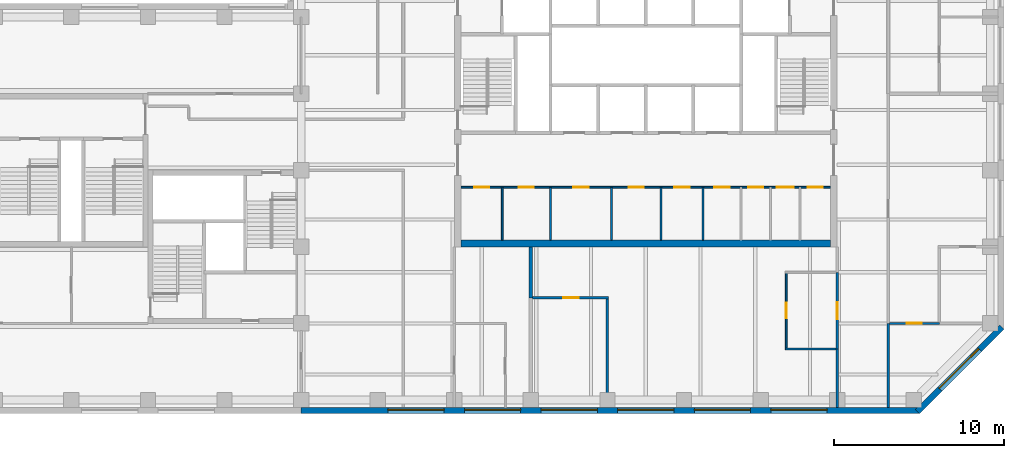
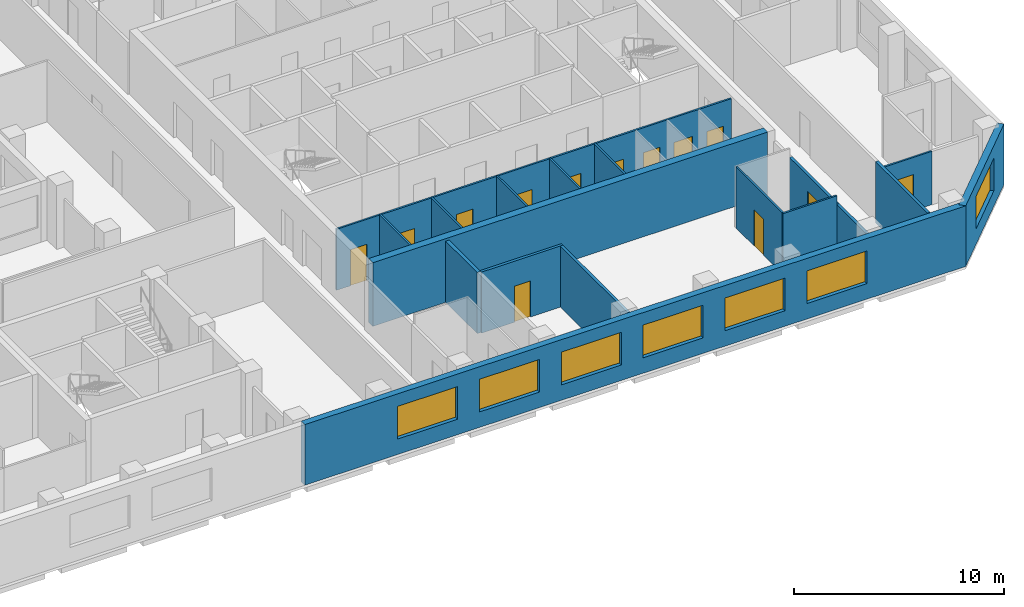
# One storey, part 4 of 9: 18 walls, 13 doors, 7 windows, 20 openings.
"""IFC4 building model written with IfcOpenShell, lengths in metres."""

import ifcopenshell
import ifcopenshell.guid

model = None  # the IFC model being written
_history = None  # IfcOwnerHistory: only IFC2X3 demands one
_inside = {}  # id of a spatial element -> (the spatial element, [elements in it])
_under = {}  # id of a project, library or spatial element -> (it, [spatial elements below it])
_declared = {}  # id of a project -> (the project, [libraries it declares])
_typed = {}  # id of a type object -> (the type object, [elements of that type])
_made_of = {}  # id of a material, layer set ... -> (it, [elements and type objects made of it])


def new_model(schema):
    """Start an empty IFC model of exactly this schema.

    Asked for "IFC4X3", IfcOpenShell would pick the latest addendum, in which some entities
    have other attributes; the version numbers below select the first issue.
    IFC2X3 requires an IfcOwnerHistory on every rooted entity: one is made here for all.
    """
    global model, _history
    if schema == "IFC4X3":
        model = ifcopenshell.file(schema_version=(4, 3, 0, 0))
    else:
        model = ifcopenshell.file(schema=schema)
    _inside.clear()
    _under.clear()
    _declared.clear()
    _typed.clear()
    _made_of.clear()
    _history = None
    if model.schema == "IFC2X3":
        org = make("IfcOrganization", Name="unknown")
        user = make(
            "IfcPersonAndOrganization",
            ThePerson=make("IfcPerson", FamilyName="unknown"),
            TheOrganization=org,
        )
        app = make(
            "IfcApplication",
            ApplicationDeveloper=org,
            Version="unknown",
            ApplicationFullName="unknown",
            ApplicationIdentifier="unknown",
        )
        _history = make(
            "IfcOwnerHistory",
            OwningUser=user,
            OwningApplication=app,
            ChangeAction="ADDED",
            CreationDate=0,
        )
    return model


def make(cls, **values):
    """One entity of the class cls with the attributes given. An attribute that is None is left unset."""
    return model.create_entity(
        cls, **{name: value for name, value in values.items() if value is not None}
    )


def rooted(cls, **values):
    """An entity with a GlobalId (a new one), such as an element, a storey or a relation."""
    return make(cls, GlobalId=ifcopenshell.guid.new(), OwnerHistory=_history, **values)


def si_unit(unit_type, name, prefix=None):
    """IfcSIUnit, for example si_unit("LENGTHUNIT", "METRE", prefix="MILLI")."""
    return make("IfcSIUnit", UnitType=unit_type, Prefix=prefix, Name=name)


def assignment(units):
    """IfcUnitAssignment: the units of a project."""
    return None if units is None else make("IfcUnitAssignment", Units=units)


def point(xyz):
    """IfcCartesianPoint."""
    return None if xyz is None else make("IfcCartesianPoint", Coordinates=xyz)


def direction(xyz):
    """IfcDirection."""
    return None if xyz is None else make("IfcDirection", DirectionRatios=xyz)


def frame(location, z_axis=None, x_axis=None):
    """IfcAxis2Placement3D, a coordinate frame: its origin and axes. An axis left out is left unset."""
    return make(
        "IfcAxis2Placement3D",
        Location=point(location),
        Axis=direction(z_axis),
        RefDirection=direction(x_axis),
    )


def frame_2d(location, x_axis=None):
    """IfcAxis2Placement2D, a coordinate frame in the plane: its origin and x axis."""
    return make(
        "IfcAxis2Placement2D", Location=point(location), RefDirection=direction(x_axis)
    )


def origin():
    """The frame at (0, 0, 0) with its axes left unset."""
    return frame((0.0, 0.0, 0.0))


def place(relative_to, where):
    """IfcLocalPlacement: puts the frame where relative to a parent placement (None: the world)."""
    return make(
        "IfcLocalPlacement", PlacementRelTo=relative_to, RelativePlacement=where
    )


def context(
    kind, dimensions, precision=None, world=None, true_north=None, identifier=None
):
    """IfcGeometricRepresentationContext, for example the 3D "Model" context."""
    return make(
        "IfcGeometricRepresentationContext",
        ContextIdentifier=identifier,
        ContextType=kind,
        CoordinateSpaceDimension=dimensions,
        Precision=precision,
        WorldCoordinateSystem=world,
        TrueNorth=true_north,
    )


def subcontext(parent, identifier, kind, view, scale=None):
    """IfcGeometricRepresentationSubContext, for example "Body" below "Model"."""
    return make(
        "IfcGeometricRepresentationSubContext",
        ContextIdentifier=identifier,
        ContextType=kind,
        ParentContext=parent,
        TargetScale=scale,
        TargetView=view,
    )


def project(units=None, contexts=None):
    """IfcProject with its units and contexts."""
    return rooted(
        "IfcProject",
        Name="project",
        RepresentationContexts=contexts,
        UnitsInContext=assignment(units),
    )


def spatial(cls, under=None, at=None, **own):
    """A site, building, storey or space (cls), placed at a placement, below another one or the project."""
    s = rooted(cls, ObjectPlacement=at, **own)
    if under is not None:
        _under.setdefault(under.id(), (under, []))[1].append(s)
    return s


def profile(cls, at=None, kind="AREA", **sizes):
    """A parametric profile (cls). Its sizes go by their IFC names, for example OverallWidth=200.0."""
    return make(cls, ProfileType=kind, Position=at, **sizes)


def rectangle(**sizes):
    """IfcRectangleProfileDef."""
    return profile("IfcRectangleProfileDef", **sizes)


def extrude(swept, where, along, depth):
    """IfcExtrudedAreaSolid: the profile swept, set in the frame where, extruded along a direction by depth."""
    return make(
        "IfcExtrudedAreaSolid",
        SweptArea=swept,
        Position=where,
        ExtrudedDirection=direction(along),
        Depth=depth,
    )


def shape(context_of_items, identifier, shape_type, items):
    """IfcShapeRepresentation: the items that make up one representation, for example the "Body"."""
    return make(
        "IfcShapeRepresentation",
        ContextOfItems=context_of_items,
        RepresentationIdentifier=identifier,
        RepresentationType=shape_type,
        Items=items,
    )


def material(Name=None, Category=None):
    """IfcMaterial."""
    return make("IfcMaterial", Name=Name, Category=Category)


def layer(
    of_material, thickness, ventilated=None, Name=None, Category=None, Priority=None
):
    """IfcMaterialLayer: one layer of a wall or slab, of a material (None: an air gap)."""
    return make(
        "IfcMaterialLayer",
        Material=of_material,
        LayerThickness=thickness,
        IsVentilated=ventilated,
        Name=Name,
        Category=Category,
        Priority=Priority,
    )


def layer_set(layers, Name=None):
    """IfcMaterialLayerSet."""
    return make("IfcMaterialLayerSet", MaterialLayers=layers, LayerSetName=Name)


def constituent(of_material, Name=None, Category=None, fraction=None):
    """IfcMaterialConstituent: one of the materials an element consists of."""
    return make(
        "IfcMaterialConstituent",
        Name=Name,
        Material=of_material,
        Fraction=fraction,
        Category=Category,
    )


def constituent_set(constituents=None, Name=None):
    """IfcMaterialConstituentSet."""
    return make(
        "IfcMaterialConstituentSet", Name=Name, MaterialConstituents=constituents
    )


def made_of(thing, what):
    """Note that an element or type object is made of a material, layer set ...; save() writes the relation."""
    if what is not None:
        _made_of.setdefault(what.id(), (what, []))[1].append(thing)
    return thing


def type_object(cls, material=None, **own):
    """A type object (cls), such as IfcWallType, which elements share."""
    return made_of(rooted(cls, **own), material)


def element(
    cls,
    number,
    at=None,
    inside=None,
    cuts=None,
    type_object=None,
    material=None,
    context=None,
    identifier="Body",
    shape_type=None,
    held_by="IfcProductDefinitionShape",
    body=None,
    shapes=None,
    **own,
):
    """One element of the class cls, such as IfcWall. Its Tag is "e" and its number.

    at: its placement. inside: the storey or other place that contains it. cuts: it is an
    opening in that element (IfcRelVoidsElement). A single representation is given by context,
    identifier, shape_type and body (its items); several are given by shapes. held_by: the class
    of the entity that holds the representations. save() writes the other relations.
    """
    e = rooted(cls, Tag="e%d" % number, ObjectPlacement=at, **own)
    if body is not None:
        shapes = [shape(context, identifier, shape_type, body)]
    if shapes is not None:
        e.Representation = make(held_by, Representations=shapes)
    if inside is not None:
        _inside.setdefault(inside.id(), (inside, []))[1].append(e)
    if cuts is not None:
        rooted(
            "IfcRelVoidsElement", RelatingBuildingElement=cuts, RelatedOpeningElement=e
        )
    if type_object is not None:
        _typed.setdefault(type_object.id(), (type_object, []))[1].append(e)
    return made_of(e, material)


def fill(opening, filler):
    """IfcRelFillsElement: the door or window that sits in an opening."""
    return rooted(
        "IfcRelFillsElement",
        RelatingOpeningElement=opening,
        RelatedBuildingElement=filler,
    )


def aggregate(whole, parts):
    """IfcRelAggregates: a whole, such as a stair, and the parts it consists of."""
    return rooted("IfcRelAggregates", RelatingObject=whole, RelatedObjects=parts)


def save(model, path):
    """Write the relations noted so far, then the file.

    IfcRelAggregates (storeys below a building ...), IfcRelContainedInSpatialStructure (elements
    in a storey), IfcRelDefinesByType, IfcRelAssociatesMaterial and IfcRelDeclares: one each for
    every whole, place, type object, material and project.
    """
    for whole, parts in _under.values():
        aggregate(whole, parts)
    for where, things in _inside.values():
        rooted(
            "IfcRelContainedInSpatialStructure",
            RelatedElements=things,
            RelatingStructure=where,
        )
    for kind, things in _typed.values():
        rooted("IfcRelDefinesByType", RelatedObjects=things, RelatingType=kind)
    for what, things in _made_of.values():
        rooted("IfcRelAssociatesMaterial", RelatedObjects=things, RelatingMaterial=what)
    for by, libraries in _declared.values():
        rooted("IfcRelDeclares", RelatingContext=by, RelatedDefinitions=libraries)
    model.write(path)


model = new_model("IFC4")

# Units and contexts
model_context = context("Model", 3, precision=1e-05, world=origin(), true_north=direction((0.0, 1.0)))
body_context = subcontext(model_context, "Body", "Model", "MODEL_VIEW")
ifc_project = project(units=[si_unit("LENGTHUNIT", "METRE"), si_unit("AREAUNIT", "SQUARE_METRE"), si_unit("VOLUMEUNIT", "CUBIC_METRE"), si_unit("PLANEANGLEUNIT", "RADIAN"), si_unit("MASSUNIT", "GRAM", prefix="KILO")], contexts=[model_context])

# Site, building, storey
site_placement = place(None, origin())
site = spatial("IfcSite", under=ifc_project, at=site_placement, CompositionType="ELEMENT")
building_placement = place(site_placement, origin())
building = spatial("IfcBuilding", under=site, at=building_placement, Name="Quoin Convention Tower", CompositionType="ELEMENT")
storey_placement = place(building_placement, frame((0.0, 0.0, 226.699951171875)))
storey = spatial("IfcBuildingStorey", under=building, at=storey_placement, Name="L59", CompositionType="ELEMENT", Elevation=226.699951171875)

# Wall, opening, door
ifc_material_1 = material(Name="Plasterboard")
ifc_layer_1 = layer(ifc_material_1, 0.012451171875, Name="Finish")
ifc_material_2 = material(Name="Steel stud framing", Category="steel")
ifc_layer_2 = layer(ifc_material_2, 0.125, Name="Structure")
ifc_layer_3 = layer(ifc_material_1, 0.012451171875, Name="Finish")
ifc_layer_set_1 = layer_set([ifc_layer_1, ifc_layer_2, ifc_layer_3], Name="Steel stud framing")
wall_type_1 = type_object("IfcWallType", Name="Acoustic partition 150", PredefinedType="PARTITIONING", material=ifc_layer_set_1)
wall_1_placement = place(storey_placement, frame((49.60009765625, 46.5, 0.0), z_axis=(0.0, 0.0, 1.0), x_axis=(1.0, 0.0, 0.0)))
wall_1 = element("IfcWall", 1, at=wall_1_placement, inside=storey, type_object=wall_type_1, Name="pw-L59-009", PredefinedType="PARTITIONING", context=body_context, shape_type="SweptSolid", body=[
    extrude(rectangle(XDim=4.474853515625, YDim=0.14990234375, at=frame_2d((2.2373046875, 0.0))), origin(), (0.0, 0.0, 1.0), 3.550048828125),
])
opening_1_placement = place(wall_1_placement, frame((1.800048828125, 0.0, 0.0)))
opening_1 = element("IfcOpeningElement", 2, at=opening_1_placement, cuts=wall_1, Name="Opening DOH10-02", PredefinedType="OPENING", context=body_context, shape_type="SweptSolid", body=[
    extrude(rectangle(XDim=0.89990234375, YDim=2.10009765625, at=frame_2d((0.449951171875, 1.050048828125))), frame((0.0, 0.0849609375, 0.0), z_axis=(0.0, -1.0, 0.0), x_axis=(1.0, 0.0, 0.0)), (0.0, 0.0, 1.0), 0.169921875),
])
ifc_material_3 = material(Name="Steel door leaf", Category="steel")
door_type_1 = type_object("IfcDoorType", Name="Office door 900 x 2100", OperationType="SINGLE_SWING_RIGHT", PredefinedType="DOOR", material=ifc_material_3)
door_1_placement = place(opening_1_placement, origin())
door_1 = element("IfcDoor", 3, at=door_1_placement, inside=storey, type_object=door_type_1, Name="dr-L59-14", OperationType="SINGLE_SWING_RIGHT", OverallHeight=2.10009765625, OverallWidth=0.89990234375, PredefinedType="DOOR", context=body_context, shape_type="SweptSolid", body=[
    extrude(rectangle(XDim=0.89990234375, YDim=2.10009765625, at=frame_2d((0.449951171875, 1.050048828125))), frame((0.0, 0.02490234375, 0.0), z_axis=(0.0, -1.0, 0.0), x_axis=(1.0, 0.0, 0.0)), (0.0, 0.0, 1.0), 0.050048828125),
])
fill(opening_1, door_1)

# Wall
wall_2_placement = place(storey_placement, frame((54.0, 40.050048828125, 0.0), z_axis=(0.0, 0.0, 1.0), x_axis=(0.0, 1.0, 0.0)))
element("IfcWall", 4, at=wall_2_placement, inside=storey, type_object=wall_type_1, Name="pw-L59-039", PredefinedType="PARTITIONING", context=body_context, shape_type="SweptSolid", body=[
    extrude(rectangle(XDim=6.375, YDim=0.14990234375, at=frame_2d((3.1875, 0.0))), origin(), (0.0, 0.0, 1.0), 3.550048828125),
])

# Wall, openings, windows
ifc_material_4 = material(Name="Brick masonry", Category="masonry")
ifc_layer_4 = layer(ifc_material_4, 0.35009765625)
ifc_layer_set_2 = layer_set([ifc_layer_4], Name="Brick masonry")
wall_type_2 = type_object("IfcWallType", Name="Brick facade wall", PredefinedType="STANDARD", material=ifc_layer_set_2)
wall_3_placement = place(storey_placement, frame((36.0, 39.875, 0.0), z_axis=(0.0, 0.0, 1.0), x_axis=(1.0, 0.0, 0.0)))
wall_3 = element("IfcWall", 5, at=wall_3_placement, inside=storey, type_object=wall_type_2, Name="fw-L59-36000_40500", PredefinedType="STANDARD", context=body_context, shape_type="SweptSolid", body=[
    extrude(rectangle(XDim=36.331298828125, YDim=0.35009765625, at=frame_2d((18.16552734375, 0.0))), origin(), (0.0, 0.0, 1.0), 3.525146484375),
])
opening_2_placement = place(wall_3_placement, frame((5.10009765625, 0.0, 0.89990234375)))
opening_2 = element("IfcOpeningElement", 6, at=opening_2_placement, cuts=wall_3, Name="Opening W-02", PredefinedType="OPENING", context=body_context, shape_type="SweptSolid", body=[
    extrude(rectangle(XDim=3.300048828125, YDim=1.89990234375, at=frame_2d((1.64990234375, 0.949951171875))), frame((0.0, 0.18505859375, 0.0), z_axis=(0.0, -1.0, 0.0), x_axis=(1.0, 0.0, 0.0)), (0.0, 0.0, 1.0), 0.3701171875),
])
opening_3_placement = place(wall_3_placement, frame((9.60009765625, 0.0, 0.89990234375)))
opening_3 = element("IfcOpeningElement", 7, at=opening_3_placement, cuts=wall_3, Name="Opening W-02", PredefinedType="OPENING", context=body_context, shape_type="SweptSolid", body=[
    extrude(rectangle(XDim=3.300048828125, YDim=1.89990234375, at=frame_2d((1.64990234375, 0.949951171875))), frame((0.0, 0.18505859375, 0.0), z_axis=(0.0, -1.0, 0.0), x_axis=(1.0, 0.0, 0.0)), (0.0, 0.0, 1.0), 0.3701171875),
])
opening_4_placement = place(wall_3_placement, frame((14.10009765625, 0.0, 0.89990234375)))
opening_4 = element("IfcOpeningElement", 8, at=opening_4_placement, cuts=wall_3, Name="Opening W-02", PredefinedType="OPENING", context=body_context, shape_type="SweptSolid", body=[
    extrude(rectangle(XDim=3.300048828125, YDim=1.89990234375, at=frame_2d((1.64990234375, 0.949951171875))), frame((0.0, 0.18505859375, 0.0), z_axis=(0.0, -1.0, 0.0), x_axis=(1.0, 0.0, 0.0)), (0.0, 0.0, 1.0), 0.3701171875),
])
opening_5_placement = place(wall_3_placement, frame((18.60009765625, 0.0, 0.89990234375)))
opening_5 = element("IfcOpeningElement", 9, at=opening_5_placement, cuts=wall_3, Name="Opening W-02", PredefinedType="OPENING", context=body_context, shape_type="SweptSolid", body=[
    extrude(rectangle(XDim=3.300048828125, YDim=1.89990234375, at=frame_2d((1.64990234375, 0.949951171875))), frame((0.0, 0.18505859375, 0.0), z_axis=(0.0, -1.0, 0.0), x_axis=(1.0, 0.0, 0.0)), (0.0, 0.0, 1.0), 0.3701171875),
])
opening_6_placement = place(wall_3_placement, frame((23.10009765625, 0.0, 0.89990234375)))
opening_6 = element("IfcOpeningElement", 10, at=opening_6_placement, cuts=wall_3, Name="Opening W-02", PredefinedType="OPENING", context=body_context, shape_type="SweptSolid", body=[
    extrude(rectangle(XDim=3.300048828125, YDim=1.89990234375, at=frame_2d((1.64990234375, 0.949951171875))), frame((0.0, 0.18505859375, 0.0), z_axis=(0.0, -1.0, 0.0), x_axis=(1.0, 0.0, 0.0)), (0.0, 0.0, 1.0), 0.3701171875),
])
opening_7_placement = place(wall_3_placement, frame((27.60009765625, 0.0, 0.89990234375)))
opening_7 = element("IfcOpeningElement", 11, at=opening_7_placement, cuts=wall_3, Name="Opening W-02", PredefinedType="OPENING", context=body_context, shape_type="SweptSolid", body=[
    extrude(rectangle(XDim=3.300048828125, YDim=1.89990234375, at=frame_2d((1.64990234375, 0.949951171875))), frame((0.0, 0.18505859375, 0.0), z_axis=(0.0, -1.0, 0.0), x_axis=(1.0, 0.0, 0.0)), (0.0, 0.0, 1.0), 0.3701171875),
])
ifc_material_5 = material(Name="Aluminium", Category="aluminium")
ifc_constituent_1 = constituent(ifc_material_5, Name="Frame")
ifc_material_6 = material(Name="Insulated glass", Category="glass")
ifc_constituent_2 = constituent(ifc_material_6, Name="Glazing")
ifc_constituent_set = constituent_set(constituents=[ifc_constituent_1, ifc_constituent_2], Name="Aluminium")
window_type = type_object("IfcWindowType", Name="Office window", PartitioningType="DOUBLE_PANEL_VERTICAL", PredefinedType="WINDOW", material=ifc_constituent_set)
window_1_placement = place(opening_2_placement, origin())
window_1 = element("IfcWindow", 12, at=window_1_placement, inside=storey, type_object=window_type, Name="win-L59-42750_39875", OverallHeight=1.89990234375, OverallWidth=3.300048828125, PartitioningType="SINGLE_PANEL", PredefinedType="WINDOW", context=body_context, shape_type="SweptSolid", body=[
    extrude(rectangle(XDim=3.300048828125, YDim=1.89990234375, at=frame_2d((1.64990234375, 0.949951171875))), frame((0.0, 0.0849609375, 0.0), z_axis=(0.0, -1.0, 0.0), x_axis=(1.0, 0.0, 0.0)), (0.0, 0.0, 1.0), 0.06005859375),
])
fill(opening_2, window_1)
window_2_placement = place(opening_3_placement, origin())
window_2 = element("IfcWindow", 13, at=window_2_placement, inside=storey, type_object=window_type, Name="win-L59-47250_39875", OverallHeight=1.89990234375, OverallWidth=3.300048828125, PartitioningType="SINGLE_PANEL", PredefinedType="WINDOW", context=body_context, shape_type="SweptSolid", body=[
    extrude(rectangle(XDim=3.300048828125, YDim=1.89990234375, at=frame_2d((1.64990234375, 0.949951171875))), frame((0.0, 0.0849609375, 0.0), z_axis=(0.0, -1.0, 0.0), x_axis=(1.0, 0.0, 0.0)), (0.0, 0.0, 1.0), 0.06005859375),
])
fill(opening_3, window_2)
window_3_placement = place(opening_4_placement, origin())
window_3 = element("IfcWindow", 14, at=window_3_placement, inside=storey, type_object=window_type, Name="win-L59-51750_39875", OverallHeight=1.89990234375, OverallWidth=3.300048828125, PartitioningType="SINGLE_PANEL", PredefinedType="WINDOW", context=body_context, shape_type="SweptSolid", body=[
    extrude(rectangle(XDim=3.300048828125, YDim=1.89990234375, at=frame_2d((1.64990234375, 0.949951171875))), frame((0.0, 0.0849609375, 0.0), z_axis=(0.0, -1.0, 0.0), x_axis=(1.0, 0.0, 0.0)), (0.0, 0.0, 1.0), 0.06005859375),
])
fill(opening_4, window_3)
window_4_placement = place(opening_5_placement, origin())
window_4 = element("IfcWindow", 15, at=window_4_placement, inside=storey, type_object=window_type, Name="win-L59-56250_39875", OverallHeight=1.89990234375, OverallWidth=3.300048828125, PartitioningType="SINGLE_PANEL", PredefinedType="WINDOW", context=body_context, shape_type="SweptSolid", body=[
    extrude(rectangle(XDim=3.300048828125, YDim=1.89990234375, at=frame_2d((1.64990234375, 0.949951171875))), frame((0.0, 0.0849609375, 0.0), z_axis=(0.0, -1.0, 0.0), x_axis=(1.0, 0.0, 0.0)), (0.0, 0.0, 1.0), 0.06005859375),
])
fill(opening_5, window_4)
window_5_placement = place(opening_6_placement, origin())
window_5 = element("IfcWindow", 16, at=window_5_placement, inside=storey, type_object=window_type, Name="win-L59-60750_39875", OverallHeight=1.89990234375, OverallWidth=3.300048828125, PartitioningType="SINGLE_PANEL", PredefinedType="WINDOW", context=body_context, shape_type="SweptSolid", body=[
    extrude(rectangle(XDim=3.300048828125, YDim=1.89990234375, at=frame_2d((1.64990234375, 0.949951171875))), frame((0.0, 0.0849609375, 0.0), z_axis=(0.0, -1.0, 0.0), x_axis=(1.0, 0.0, 0.0)), (0.0, 0.0, 1.0), 0.06005859375),
])
fill(opening_6, window_5)
window_6_placement = place(opening_7_placement, origin())
window_6 = element("IfcWindow", 17, at=window_6_placement, inside=storey, type_object=window_type, Name="win-L59-65250_39875", OverallHeight=1.89990234375, OverallWidth=3.300048828125, PartitioningType="SINGLE_PANEL", PredefinedType="WINDOW", context=body_context, shape_type="SweptSolid", body=[
    extrude(rectangle(XDim=3.300048828125, YDim=1.89990234375, at=frame_2d((1.64990234375, 0.949951171875))), frame((0.0, 0.0849609375, 0.0), z_axis=(0.0, -1.0, 0.0), x_axis=(1.0, 0.0, 0.0)), (0.0, 0.0, 1.0), 0.06005859375),
])
fill(opening_7, window_6)

# Wall, opening, window
wall_4_placement = place(storey_placement, frame((72.20751953125, 39.82373046875, 0.0), z_axis=(0.0, 0.0, 1.0), x_axis=(0.707106781187, 0.707106781187, 0.0)))
wall_4 = element("IfcWall", 18, at=wall_4_placement, inside=storey, type_object=wall_type_2, Name="fw-L59-72000_40500", PredefinedType="STANDARD", context=body_context, shape_type="SweptSolid", body=[
    extrude(rectangle(XDim=7.02685546875, YDim=0.35009765625, at=frame_2d((3.513427734375, 0.0))), origin(), (0.0, 0.0, 1.0), 3.525146484375),
])
opening_8_placement = place(wall_4_placement, frame((1.86328125, 0.0, 0.89990234375)))
opening_8 = element("IfcOpeningElement", 19, at=opening_8_placement, cuts=wall_4, Name="Opening W-02", PredefinedType="OPENING", context=body_context, shape_type="SweptSolid", body=[
    extrude(rectangle(XDim=3.300048828125, YDim=1.89990234375, at=frame_2d((1.64990234375, 0.949951171875))), frame((0.0, 0.18505859375, 0.0), z_axis=(0.0, -1.0, 0.0), x_axis=(1.0, 0.0, 0.0)), (0.0, 0.0, 1.0), 0.3701171875),
])
window_7_placement = place(opening_8_placement, origin())
window_7 = element("IfcWindow", 20, at=window_7_placement, inside=storey, type_object=window_type, Name="win-L59-74692_42308", OverallHeight=1.89990234375, OverallWidth=3.300048828125, PartitioningType="SINGLE_PANEL", PredefinedType="WINDOW", context=body_context, shape_type="SweptSolid", body=[
    extrude(rectangle(XDim=3.300048828125, YDim=1.89990234375, at=frame_2d((1.64990234375, 0.949951171875))), frame((0.0, 0.0849609375, 0.0), z_axis=(0.0, -1.0, 0.0), x_axis=(1.0, 0.0, 0.0)), (0.0, 0.0, 1.0), 0.06005859375),
])
fill(opening_8, window_7)

# Wall, openings, doors
ifc_layer_5 = layer(ifc_material_1, 0.012451171875, Name="Finish")
ifc_layer_6 = layer(ifc_material_2, 0.074951171875, Name="Structure")
ifc_layer_7 = layer(ifc_material_1, 0.012451171875, Name="Finish")
ifc_layer_set_3 = layer_set([ifc_layer_5, ifc_layer_6, ifc_layer_7], Name="Steel stud framing")
wall_type_3 = type_object("IfcWallType", Name="Core partition wall", PredefinedType="PARTITIONING", material=ifc_layer_set_3)
wall_5_placement = place(storey_placement, frame((45.39990234375, 53.0, 0.0), z_axis=(0.0, 0.0, 1.0), x_axis=(1.0, 0.0, 0.0)))
wall_5 = element("IfcWall", 21, at=wall_5_placement, inside=storey, type_object=wall_type_3, Name="cr-C1-L59-h3500_400", PredefinedType="PARTITIONING", context=body_context, shape_type="SweptSolid", body=[
    extrude(rectangle(XDim=21.7001953125, YDim=0.10009765625, at=frame_2d((10.85009765625, 0.0))), origin(), (0.0, 0.0, 1.0), 3.550048828125),
])
opening_9_placement = place(wall_5_placement, frame((20.357421875, 0.0, 0.0)))
opening_9 = element("IfcOpeningElement", 22, at=opening_9_placement, cuts=wall_5, Name="Opening DCV2-32", PredefinedType="OPENING", context=body_context, shape_type="SweptSolid", body=[
    extrude(rectangle(XDim=0.89990234375, YDim=2.10009765625, at=frame_2d((0.449951171875, 1.050048828125))), frame((0.0, 0.06005859375, 0.0), z_axis=(0.0, -1.0, 0.0), x_axis=(1.0, 0.0, 0.0)), (0.0, 0.0, 1.0), 0.1201171875),
])
opening_10_placement = place(wall_5_placement, frame((18.548828125, 0.0, 0.0)))
opening_10 = element("IfcOpeningElement", 23, at=opening_10_placement, cuts=wall_5, Name="Opening DCV2-31", PredefinedType="OPENING", context=body_context, shape_type="SweptSolid", body=[
    extrude(rectangle(XDim=1.0, YDim=2.10009765625, at=frame_2d((0.5, 1.050048828125))), frame((0.0, 0.06005859375, 0.0), z_axis=(0.0, -1.0, 0.0), x_axis=(1.0, 0.0, 0.0)), (0.0, 0.0, 1.0), 0.1201171875),
])
opening_11_placement = place(wall_5_placement, frame((16.8662109375, 0.0, 0.0)))
opening_11 = element("IfcOpeningElement", 24, at=opening_11_placement, cuts=wall_5, Name="Opening DCV2-30", PredefinedType="OPENING", context=body_context, shape_type="SweptSolid", body=[
    extrude(rectangle(XDim=0.89990234375, YDim=2.10009765625, at=frame_2d((0.449951171875, 1.050048828125))), frame((0.0, 0.06005859375, 0.0), z_axis=(0.0, -1.0, 0.0), x_axis=(1.0, 0.0, 0.0)), (0.0, 0.0, 1.0), 0.1201171875),
])
opening_12_placement = place(wall_5_placement, frame((0.757568359375, 0.0, 0.0)))
opening_12 = element("IfcOpeningElement", 25, at=opening_12_placement, cuts=wall_5, Name="Opening DCV2-22", PredefinedType="OPENING", context=body_context, shape_type="SweptSolid", body=[
    extrude(rectangle(XDim=0.89990234375, YDim=2.10009765625, at=frame_2d((0.449951171875, 1.050048828125))), frame((0.0, 0.06005859375, 0.0), z_axis=(0.0, -1.0, 0.0), x_axis=(1.0, 0.0, 0.0)), (0.0, 0.0, 1.0), 0.1201171875),
])
opening_13_placement = place(wall_5_placement, frame((3.382568359375, 0.0, 0.0)))
opening_13 = element("IfcOpeningElement", 26, at=opening_13_placement, cuts=wall_5, Name="Opening DCV2-23", PredefinedType="OPENING", context=body_context, shape_type="SweptSolid", body=[
    extrude(rectangle(XDim=0.89990234375, YDim=2.10009765625, at=frame_2d((0.449951171875, 1.050048828125))), frame((0.0, 0.06005859375, 0.0), z_axis=(0.0, -1.0, 0.0), x_axis=(1.0, 0.0, 0.0)), (0.0, 0.0, 1.0), 0.1201171875),
])
opening_14_placement = place(wall_5_placement, frame((6.592041015625, 0.0, 0.0)))
opening_14 = element("IfcOpeningElement", 27, at=opening_14_placement, cuts=wall_5, Name="Opening DCV2-24", PredefinedType="OPENING", context=body_context, shape_type="SweptSolid", body=[
    extrude(rectangle(XDim=0.89990234375, YDim=2.10009765625, at=frame_2d((0.449951171875, 1.050048828125))), frame((0.0, 0.06005859375, 0.0), z_axis=(0.0, -1.0, 0.0), x_axis=(1.0, 0.0, 0.0)), (0.0, 0.0, 1.0), 0.1201171875),
])
opening_15_placement = place(wall_5_placement, frame((9.840087890625, 0.0, 0.0)))
opening_15 = element("IfcOpeningElement", 28, at=opening_15_placement, cuts=wall_5, Name="Opening DCV2-26", PredefinedType="OPENING", context=body_context, shape_type="SweptSolid", body=[
    extrude(rectangle(XDim=0.89990234375, YDim=2.10009765625, at=frame_2d((0.449951171875, 1.050048828125))), frame((0.0, 0.06005859375, 0.0), z_axis=(0.0, -1.0, 0.0), x_axis=(1.0, 0.0, 0.0)), (0.0, 0.0, 1.0), 0.1201171875),
])
opening_16_placement = place(wall_5_placement, frame((12.528076171875, 0.0, 0.0)))
opening_16 = element("IfcOpeningElement", 29, at=opening_16_placement, cuts=wall_5, Name="Opening DCV2-27", PredefinedType="OPENING", context=body_context, shape_type="SweptSolid", body=[
    extrude(rectangle(XDim=0.89990234375, YDim=2.10009765625, at=frame_2d((0.449951171875, 1.050048828125))), frame((0.0, 0.06005859375, 0.0), z_axis=(0.0, -1.0, 0.0), x_axis=(1.0, 0.0, 0.0)), (0.0, 0.0, 1.0), 0.1201171875),
])
opening_17_placement = place(wall_5_placement, frame((14.8798828125, 0.0, 0.0)))
opening_17 = element("IfcOpeningElement", 30, at=opening_17_placement, cuts=wall_5, Name="Opening DCV2-29", PredefinedType="OPENING", context=body_context, shape_type="SweptSolid", body=[
    extrude(rectangle(XDim=0.89990234375, YDim=2.10009765625, at=frame_2d((0.449951171875, 1.050048828125))), frame((0.0, 0.06005859375, 0.0), z_axis=(0.0, -1.0, 0.0), x_axis=(1.0, 0.0, 0.0)), (0.0, 0.0, 1.0), 0.1201171875),
])
door_type_2 = type_object("IfcDoorType", Name="Core room door 1000 x 2100", OperationType="SINGLE_SWING_LEFT", PredefinedType="DOOR", material=ifc_material_3)
door_2_placement = place(opening_10_placement, frame((1.0, 0.0, 0.0), z_axis=(0.0, 0.0, 1.0), x_axis=(-1.0, 0.0, 0.0)))
door_2 = element("IfcDoor", 31, at=door_2_placement, inside=storey, type_object=door_type_2, Name="cd-C1-L59-CSE1-lobA-CD5911", OperationType="SINGLE_SWING_LEFT", OverallHeight=2.10009765625, OverallWidth=1.0, PredefinedType="DOOR", context=body_context, shape_type="SweptSolid", body=[
    extrude(rectangle(XDim=1.0, YDim=2.10009765625, at=frame_2d((0.5, 1.050048828125))), frame((0.0, 0.02490234375, 0.0), z_axis=(0.0, -1.0, 0.0), x_axis=(1.0, 0.0, 0.0)), (0.0, 0.0, 1.0), 0.050048828125),
])
fill(opening_10, door_2)
door_type_3 = type_object("IfcDoorType", Name="Core room door 900 x 2100", OperationType="SINGLE_SWING_LEFT", PredefinedType="DOOR", material=ifc_material_3)
door_3_placement = place(opening_9_placement, frame((0.89990234375, 0.0, 0.0), z_axis=(0.0, 0.0, 1.0), x_axis=(-1.0, 0.0, 0.0)))
door_3 = element("IfcDoor", 32, at=door_3_placement, inside=storey, type_object=door_type_3, Name="cd-C1-L59-CSE0-lobA-CD5910", OperationType="SINGLE_SWING_LEFT", OverallHeight=2.10009765625, OverallWidth=0.89990234375, PredefinedType="DOOR", context=body_context, shape_type="SweptSolid", body=[
    extrude(rectangle(XDim=0.89990234375, YDim=2.10009765625, at=frame_2d((0.449951171875, 1.050048828125))), frame((0.0, 0.02490234375, 0.0), z_axis=(0.0, -1.0, 0.0), x_axis=(1.0, 0.0, 0.0)), (0.0, 0.0, 1.0), 0.050048828125),
])
fill(opening_9, door_3)
door_4_placement = place(opening_11_placement, frame((0.89990234375, 0.0, 0.0), z_axis=(0.0, 0.0, 1.0), x_axis=(-1.0, 0.0, 0.0)))
door_4 = element("IfcDoor", 33, at=door_4_placement, inside=storey, type_object=door_type_3, Name="cd-C1-L59-CSE2-lobA-CD5912", OperationType="SINGLE_SWING_LEFT", OverallHeight=2.10009765625, OverallWidth=0.89990234375, PredefinedType="DOOR", context=body_context, shape_type="SweptSolid", body=[
    extrude(rectangle(XDim=0.89990234375, YDim=2.10009765625, at=frame_2d((0.449951171875, 1.050048828125))), frame((0.0, 0.02490234375, 0.0), z_axis=(0.0, -1.0, 0.0), x_axis=(1.0, 0.0, 0.0)), (0.0, 0.0, 1.0), 0.050048828125),
])
fill(opening_11, door_4)
door_5_placement = place(opening_12_placement, frame((0.89990234375, 0.0, 0.0), z_axis=(0.0, 0.0, 1.0), x_axis=(-1.0, 0.0, 0.0)))
door_5 = element("IfcDoor", 34, at=door_5_placement, inside=storey, type_object=door_type_3, Name="cd-C1-L59-CSW0-lobA-CD5913", OperationType="SINGLE_SWING_LEFT", OverallHeight=2.10009765625, OverallWidth=0.89990234375, PredefinedType="DOOR", context=body_context, shape_type="SweptSolid", body=[
    extrude(rectangle(XDim=0.89990234375, YDim=2.10009765625, at=frame_2d((0.449951171875, 1.050048828125))), frame((0.0, 0.02490234375, 0.0), z_axis=(0.0, -1.0, 0.0), x_axis=(1.0, 0.0, 0.0)), (0.0, 0.0, 1.0), 0.050048828125),
])
fill(opening_12, door_5)
door_6_placement = place(opening_13_placement, frame((0.89990234375, 0.0, 0.0), z_axis=(0.0, 0.0, 1.0), x_axis=(-1.0, 0.0, 0.0)))
door_6 = element("IfcDoor", 35, at=door_6_placement, inside=storey, type_object=door_type_3, Name="cd-C1-L59-CSW1-lobA-CD5914", OperationType="SINGLE_SWING_LEFT", OverallHeight=2.10009765625, OverallWidth=0.89990234375, PredefinedType="DOOR", context=body_context, shape_type="SweptSolid", body=[
    extrude(rectangle(XDim=0.89990234375, YDim=2.10009765625, at=frame_2d((0.449951171875, 1.050048828125))), frame((0.0, 0.02490234375, 0.0), z_axis=(0.0, -1.0, 0.0), x_axis=(1.0, 0.0, 0.0)), (0.0, 0.0, 1.0), 0.050048828125),
])
fill(opening_13, door_6)
door_7_placement = place(opening_14_placement, frame((0.89990234375, 0.0, 0.0), z_axis=(0.0, 0.0, 1.0), x_axis=(-1.0, 0.0, 0.0)))
door_7 = element("IfcDoor", 36, at=door_7_placement, inside=storey, type_object=door_type_3, Name="cd-C1-L59-F10-lobA-CD5915", OperationType="SINGLE_SWING_LEFT", OverallHeight=2.10009765625, OverallWidth=0.89990234375, PredefinedType="DOOR", context=body_context, shape_type="SweptSolid", body=[
    extrude(rectangle(XDim=0.89990234375, YDim=2.10009765625, at=frame_2d((0.449951171875, 1.050048828125))), frame((0.0, 0.02490234375, 0.0), z_axis=(0.0, -1.0, 0.0), x_axis=(1.0, 0.0, 0.0)), (0.0, 0.0, 1.0), 0.050048828125),
])
fill(opening_14, door_7)
door_8_placement = place(opening_15_placement, frame((0.89990234375, 0.0, 0.0), z_axis=(0.0, 0.0, 1.0), x_axis=(-1.0, 0.0, 0.0)))
door_8 = element("IfcDoor", 37, at=door_8_placement, inside=storey, type_object=door_type_3, Name="cd-C1-L59-F11-lobA-CD5916", OperationType="SINGLE_SWING_LEFT", OverallHeight=2.10009765625, OverallWidth=0.89990234375, PredefinedType="DOOR", context=body_context, shape_type="SweptSolid", body=[
    extrude(rectangle(XDim=0.89990234375, YDim=2.10009765625, at=frame_2d((0.449951171875, 1.050048828125))), frame((0.0, 0.02490234375, 0.0), z_axis=(0.0, -1.0, 0.0), x_axis=(1.0, 0.0, 0.0)), (0.0, 0.0, 1.0), 0.050048828125),
])
fill(opening_15, door_8)
door_9_placement = place(opening_16_placement, frame((0.89990234375, 0.0, 0.0), z_axis=(0.0, 0.0, 1.0), x_axis=(-1.0, 0.0, 0.0)))
door_9 = element("IfcDoor", 38, at=door_9_placement, inside=storey, type_object=door_type_3, Name="cd-C1-L59-F12-lobA-CD5917", OperationType="SINGLE_SWING_LEFT", OverallHeight=2.10009765625, OverallWidth=0.89990234375, PredefinedType="DOOR", context=body_context, shape_type="SweptSolid", body=[
    extrude(rectangle(XDim=0.89990234375, YDim=2.10009765625, at=frame_2d((0.449951171875, 1.050048828125))), frame((0.0, 0.02490234375, 0.0), z_axis=(0.0, -1.0, 0.0), x_axis=(1.0, 0.0, 0.0)), (0.0, 0.0, 1.0), 0.050048828125),
])
fill(opening_16, door_9)
door_10_placement = place(opening_17_placement, frame((0.89990234375, 0.0, 0.0), z_axis=(0.0, 0.0, 1.0), x_axis=(-1.0, 0.0, 0.0)))
door_10 = element("IfcDoor", 39, at=door_10_placement, inside=storey, type_object=door_type_3, Name="cd-C1-L59-F13-lobA-CD5918", OperationType="SINGLE_SWING_LEFT", OverallHeight=2.10009765625, OverallWidth=0.89990234375, PredefinedType="DOOR", context=body_context, shape_type="SweptSolid", body=[
    extrude(rectangle(XDim=0.89990234375, YDim=2.10009765625, at=frame_2d((0.449951171875, 1.050048828125))), frame((0.0, 0.02490234375, 0.0), z_axis=(0.0, -1.0, 0.0), x_axis=(1.0, 0.0, 0.0)), (0.0, 0.0, 1.0), 0.050048828125),
])
fill(opening_17, door_10)

# Walls
for number, where, z_axis, x_axis, name in (
    (40, (47.81494140625, 49.89990234375, 0.0), (0.0, 0.0, 1.0), (0.0, 1.0, 0.0), "cr-C1-L59-v2815_400"),
    (41, (50.64990234375, 49.89990234375, 0.0), (0.0, 0.0, 1.0), (0.0, 1.0, 0.0), "cr-C1-L59-v5650_400"),
    (42, (54.23388671875, 49.89990234375, 0.0), (0.0, 0.0, 1.0), (0.0, 1.0, 0.0), "cr-C1-L59-v9234_400"),
    (43, (57.14599609375, 49.89990234375, 0.0), (0.0, 0.0, 1.0), (0.0, 1.0, 0.0), "cr-C1-L59-v12146_400"),
    (44, (59.610107421875, 49.89990234375, 0.0), (0.0, 0.0, 1.0), (0.0, 1.0, 0.0), "cr-C1-L59-v14610_400"),
):
    element("IfcWall", number, at=place(storey_placement, frame(where, z_axis=z_axis, x_axis=x_axis)), inside=storey, type_object=wall_type_3, Name=name, PredefinedType="PARTITIONING", context=body_context, shape_type="SweptSolid", body=[
        extrude(rectangle(XDim=3.10009765625, YDim=0.10009765625, at=frame_2d((1.550048828125, 0.0))), origin(), (0.0, 0.0, 1.0), 3.550048828125),
    ])
ifc_layer_8 = layer(ifc_material_1, 0.012451171875, Name="Finish")
ifc_layer_9 = layer(ifc_material_2, 0.125, Name="Structure")
ifc_layer_10 = layer(ifc_material_1, 0.012451171875, Name="Finish")
ifc_layer_set_4 = layer_set([ifc_layer_8, ifc_layer_9, ifc_layer_10], Name="Steel stud framing")
wall_type_4 = type_object("IfcWallType", Name="Corridor wall 150", PredefinedType="PARTITIONING", material=ifc_layer_set_4)
wall_6_placement = place(storey_placement, frame((70.5, 40.050048828125, 0.0), z_axis=(0.0, 0.0, 1.0), x_axis=(0.0, 1.0, 0.0)))
element("IfcWall", 45, at=wall_6_placement, inside=storey, type_object=wall_type_4, Name="pw-L59-041", PredefinedType="PARTITIONING", context=body_context, shape_type="SweptSolid", body=[
    extrude(rectangle(XDim=4.949951171875, YDim=0.14990234375, at=frame_2d((2.47509765625, 0.0))), origin(), (0.0, 0.0, 1.0), 3.550048828125),
])
ifc_layer_11 = layer(ifc_material_1, 0.012451171875, Name="Finish")
ifc_layer_12 = layer(ifc_material_2, 0.125, Name="Structure")
ifc_layer_13 = layer(ifc_material_1, 0.012451171875, Name="Finish")
ifc_layer_set_5 = layer_set([ifc_layer_11, ifc_layer_12, ifc_layer_13], Name="Steel stud framing")
wall_type_5 = type_object("IfcWallType", Name="Corridor wall 150 under beam 528", PredefinedType="PARTITIONING", material=ifc_layer_set_5)
wall_7_placement = place(storey_placement, frame((67.5, 40.050048828125, 0.0), z_axis=(0.0, 0.0, 1.0), x_axis=(0.0, 1.0, 0.0)))
element("IfcWall", 46, at=wall_7_placement, inside=storey, type_object=wall_type_5, Name="pw-L59-040", PredefinedType="PARTITIONING", context=body_context, shape_type="SweptSolid", body=[
    extrude(rectangle(XDim=3.449951171875, YDim=0.14990234375, at=frame_2d((1.72509765625, 0.0))), origin(), (0.0, 0.0, 1.0), 3.02197265625),
])

# Wall, opening, door
wall_8_placement = place(storey_placement, frame((67.5, 43.5, 0.0), z_axis=(0.0, 0.0, 1.0), x_axis=(0.0, 1.0, 0.0)))
wall_8 = element("IfcWall", 47, at=wall_8_placement, inside=storey, type_object=wall_type_5, Name="pw-L59-044", PredefinedType="PARTITIONING", context=body_context, shape_type="SweptSolid", body=[
    extrude(rectangle(XDim=4.5, YDim=0.14990234375, at=frame_2d((2.25, 0.0))), origin(), (0.0, 0.0, 1.0), 3.02197265625),
])
opening_18_placement = place(wall_8_placement, frame((1.75, 0.0, 0.0)))
opening_18 = element("IfcOpeningElement", 48, at=opening_18_placement, cuts=wall_8, Name="Opening DOH10-11", PredefinedType="OPENING", context=body_context, shape_type="SweptSolid", body=[
    extrude(rectangle(XDim=1.0, YDim=2.10009765625, at=frame_2d((0.5, 1.050048828125))), frame((0.0, 0.0849609375, 0.0), z_axis=(0.0, -1.0, 0.0), x_axis=(1.0, 0.0, 0.0)), (0.0, 0.0, 1.0), 0.169921875),
])
door_type_4 = type_object("IfcDoorType", Name="Tenancy entrance door 1000 x 2100", OperationType="DOUBLE_DOOR_SINGLE_SWING", PredefinedType="DOOR", material=ifc_material_3)
door_11_placement = place(opening_18_placement, origin())
door_11 = element("IfcDoor", 49, at=door_11_placement, inside=storey, type_object=door_type_4, Name="dr-L59-12", OperationType="DOUBLE_DOOR_SINGLE_SWING", OverallHeight=2.10009765625, OverallWidth=1.0, PredefinedType="DOOR", context=body_context, shape_type="SweptSolid", body=[
    extrude(rectangle(XDim=1.0, YDim=2.10009765625, at=frame_2d((0.5, 1.050048828125))), frame((0.0, 0.02490234375, 0.0), z_axis=(0.0, -1.0, 0.0), x_axis=(1.0, 0.0, 0.0)), (0.0, 0.0, 1.0), 0.050048828125),
])
fill(opening_18, door_11)

# Walls
ifc_material_7 = material(Name="Concrete C50", Category="concrete")
ifc_layer_14 = layer(ifc_material_7, 0.39990234375)
ifc_layer_set_6 = layer_set([ifc_layer_14], Name="Concrete C50")
wall_type_6 = type_object("IfcWallType", Name="RC CORE WALL 400 C50", PredefinedType="SHEAR", material=ifc_layer_set_6)
wall_9_placement = place(storey_placement, frame((45.39990234375, 49.699951171875, 0.0), z_axis=(0.0, 0.0, 1.0), x_axis=(1.0, 0.0, 0.0)))
element("IfcWall", 50, at=wall_9_placement, inside=storey, type_object=wall_type_6, Name="cwl-C1-L59-S", PredefinedType="SHEAR", context=body_context, shape_type="SweptSolid", body=[
    extrude(rectangle(XDim=21.7001953125, YDim=0.39990234375, at=frame_2d((10.85009765625, 0.0))), origin(), (0.0, 0.0, 1.0), 3.699951171875),
])
ifc_layer_15 = layer(ifc_material_1, 0.012451171875, Name="Finish")
ifc_layer_16 = layer(ifc_material_2, 0.074951171875, Name="Structure")
ifc_layer_17 = layer(ifc_material_1, 0.012451171875, Name="Finish")
ifc_layer_set_7 = layer_set([ifc_layer_15, ifc_layer_16, ifc_layer_17], Name="Steel stud framing")
wall_type_7 = type_object("IfcWallType", Name="Stud partition 100", PredefinedType="PARTITIONING", material=ifc_layer_set_7)
wall_10_placement = place(storey_placement, frame((64.449951171875, 43.5, 0.0), z_axis=(0.0, 0.0, 1.0), x_axis=(1.0, 0.0, 0.0)))
element("IfcWall", 51, at=wall_10_placement, inside=storey, type_object=wall_type_7, Name="pw-L59-002", PredefinedType="PARTITIONING", context=body_context, shape_type="SweptSolid", body=[
    extrude(rectangle(XDim=2.97509765625, YDim=0.10009765625, at=frame_2d((1.487548828125, 0.0))), origin(), (0.0, 0.0, 1.0), 3.550048828125),
])

# Wall, opening, door
wall_11_placement = place(storey_placement, frame((64.5, 43.550048828125, 0.0), z_axis=(0.0, 0.0, 1.0), x_axis=(0.0, 1.0, 0.0)))
wall_11 = element("IfcWall", 52, at=wall_11_placement, inside=storey, type_object=wall_type_7, Name="pw-L59-045", PredefinedType="PARTITIONING", context=body_context, shape_type="SweptSolid", body=[
    extrude(rectangle(XDim=4.39990234375, YDim=0.10009765625, at=frame_2d((2.199951171875, 0.0))), origin(), (0.0, 0.0, 1.0), 3.550048828125),
])
opening_19_placement = place(wall_11_placement, frame((1.75, 0.0, 0.0)))
opening_19 = element("IfcOpeningElement", 53, at=opening_19_placement, cuts=wall_11, Name="Opening DOH10-12", PredefinedType="OPENING", context=body_context, shape_type="SweptSolid", body=[
    extrude(rectangle(XDim=0.89990234375, YDim=2.10009765625, at=frame_2d((0.449951171875, 1.050048828125))), frame((0.0, 0.06005859375, 0.0), z_axis=(0.0, -1.0, 0.0), x_axis=(1.0, 0.0, 0.0)), (0.0, 0.0, 1.0), 0.1201171875),
])
door_12_placement = place(opening_19_placement, origin())
door_12 = element("IfcDoor", 54, at=door_12_placement, inside=storey, type_object=door_type_1, Name="dr-L59-13", OperationType="SINGLE_SWING_RIGHT", OverallHeight=2.10009765625, OverallWidth=0.89990234375, PredefinedType="DOOR", context=body_context, shape_type="SweptSolid", body=[
    extrude(rectangle(XDim=0.89990234375, YDim=2.10009765625, at=frame_2d((0.449951171875, 1.050048828125))), frame((0.0, 0.02490234375, 0.0), z_axis=(0.0, -1.0, 0.0), x_axis=(1.0, 0.0, 0.0)), (0.0, 0.0, 1.0), 0.050048828125),
])
fill(opening_19, door_12)

ifc_layer_18 = layer(ifc_material_1, 0.012451171875, Name="Finish")
ifc_layer_19 = layer(ifc_material_2, 0.074951171875, Name="Structure")
ifc_layer_20 = layer(ifc_material_1, 0.012451171875, Name="Finish")
ifc_layer_set_8 = layer_set([ifc_layer_18, ifc_layer_19, ifc_layer_20], Name="Steel stud framing")
wall_type_8 = type_object("IfcWallType", Name="Stud partition 100 under beam 454", PredefinedType="PARTITIONING", material=ifc_layer_set_8)
wall_12_placement = place(storey_placement, frame((70.574951171875, 45.0, 0.0), z_axis=(0.0, 0.0, 1.0), x_axis=(1.0, 0.0, 0.0)))
wall_12 = element("IfcWall", 55, at=wall_12_placement, inside=storey, type_object=wall_type_8, Name="pw-L59-006", PredefinedType="PARTITIONING", context=body_context, shape_type="SweptSolid", body=[
    extrude(rectangle(XDim=2.925048828125, YDim=0.10009765625, at=frame_2d((1.46240234375, 0.0))), origin(), (0.0, 0.0, 1.0), 3.095947265625),
])
opening_20_placement = place(wall_12_placement, frame((1.0, 0.0, 0.0)))
opening_20 = element("IfcOpeningElement", 56, at=opening_20_placement, cuts=wall_12, Name="Opening DOH10-01", PredefinedType="OPENING", context=body_context, shape_type="SweptSolid", body=[
    extrude(rectangle(XDim=0.89990234375, YDim=2.10009765625, at=frame_2d((0.449951171875, 1.050048828125))), frame((0.0, 0.06005859375, 0.0), z_axis=(0.0, -1.0, 0.0), x_axis=(1.0, 0.0, 0.0)), (0.0, 0.0, 1.0), 0.1201171875),
])
door_13_placement = place(opening_20_placement, origin())
door_13 = element("IfcDoor", 57, at=door_13_placement, inside=storey, type_object=door_type_1, Name="dr-L59-23", OperationType="SINGLE_SWING_RIGHT", OverallHeight=2.10009765625, OverallWidth=0.89990234375, PredefinedType="DOOR", context=body_context, shape_type="SweptSolid", body=[
    extrude(rectangle(XDim=0.89990234375, YDim=2.10009765625, at=frame_2d((0.449951171875, 1.050048828125))), frame((0.0, 0.02490234375, 0.0), z_axis=(0.0, -1.0, 0.0), x_axis=(1.0, 0.0, 0.0)), (0.0, 0.0, 1.0), 0.050048828125),
])
fill(opening_20, door_13)

# Wall
ifc_layer_21 = layer(ifc_material_1, 0.012451171875, Name="Finish")
ifc_layer_22 = layer(ifc_material_2, 0.175048828125, Name="Structure")
ifc_layer_23 = layer(ifc_material_1, 0.012451171875, Name="Finish")
ifc_layer_set_9 = layer_set([ifc_layer_21, ifc_layer_22, ifc_layer_23], Name="Steel stud framing")
wall_type_9 = type_object("IfcWallType", Name="Tenancy demising wall 200", PredefinedType="PARTITIONING", material=ifc_layer_set_9)
wall_13_placement = place(storey_placement, frame((49.5, 46.5, 0.0), z_axis=(0.0, 0.0, 1.0), x_axis=(0.0, 1.0, 0.0)))
element("IfcWall", 58, at=wall_13_placement, inside=storey, type_object=wall_type_9, Name="pw-L59-052", PredefinedType="PARTITIONING", context=body_context, shape_type="SweptSolid", body=[
    extrude(rectangle(XDim=3.0, YDim=0.199951171875, at=frame_2d((1.5, 0.0))), origin(), (0.0, 0.0, 1.0), 3.550048828125),
])

save(model, "model.ifc")
